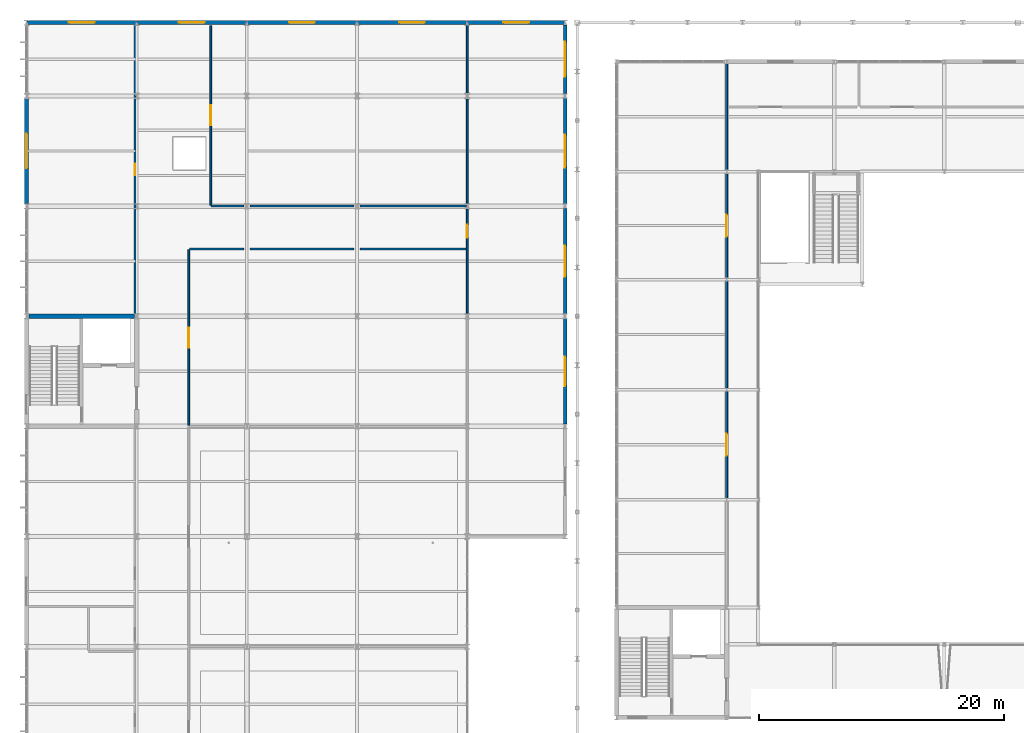
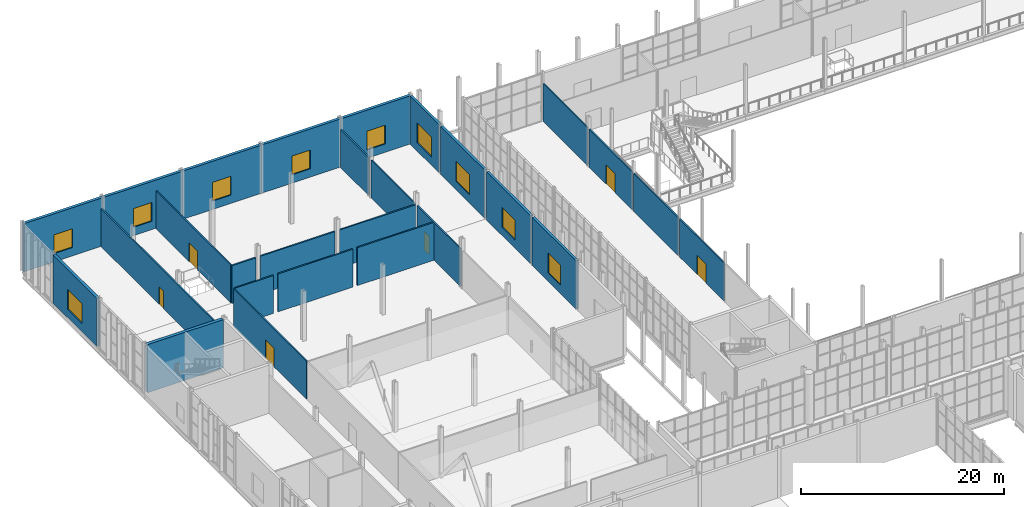
# One storey, part 124 of 159: 27 walls, 10 windows, 6 doors, 16 openings.
"""IFC4 building model written with IfcOpenShell, lengths in metres."""

from ifc_helpers import new_model, si_unit, direction, frame, frame_2d, origin, place, context, subcontext, project, spatial, rectangle, extrude, material, layer, layer_set, type_object, element, fill, save


model = new_model("IFC4")

# Units and contexts
model_context = context("Model", 3, precision=1e-05, world=origin(), true_north=direction((0.0, 1.0)))
body_context = subcontext(model_context, "Body", "Model", "MODEL_VIEW")
ifc_project = project(units=[si_unit("LENGTHUNIT", "METRE"), si_unit("AREAUNIT", "SQUARE_METRE"), si_unit("VOLUMEUNIT", "CUBIC_METRE"), si_unit("PLANEANGLEUNIT", "RADIAN"), si_unit("MASSUNIT", "GRAM", prefix="KILO")], contexts=[model_context])

# Site, building, storey
site_placement = place(None, origin())
site = spatial("IfcSite", under=ifc_project, at=site_placement, CompositionType="ELEMENT")
building_placement = place(site_placement, origin())
building = spatial("IfcBuilding", under=site, at=building_placement, Name="Cazmaro Siding Exhibition Halls", CompositionType="ELEMENT")
storey_placement = place(building_placement, frame((0.0, 0.0, 6.0)))
storey = spatial("IfcBuildingStorey", under=building, at=storey_placement, Name="L01", CompositionType="ELEMENT", Elevation=6.0)

# Wall, opening, window
ifc_material_1 = material(Name="Concrete f'c 45 MPa", Category="concrete")
ifc_layer_1 = layer(ifc_material_1, 0.320068359375)
ifc_layer_set_1 = layer_set([ifc_layer_1], Name="Concrete f'c 45 MPa")
wall_type_1 = type_object("IfcWallType", Name="EW-01", PredefinedType="STANDARD", material=ifc_layer_set_1)
wall_1_placement = place(storey_placement, frame((0.0, 109.201904296875, 0.0), z_axis=(0.0, 0.0, 1.0), x_axis=(0.0, 1.0, 0.0)))
wall_1 = element("IfcWall", 1, at=wall_1_placement, inside=storey, type_object=wall_type_1, Name="West Wing Street Pier Wall L01 EW-01 WL-E0267", PredefinedType="STANDARD", context=body_context, shape_type="SweptSolid", body=[
    extrude(rectangle(XDim=8.59619140625, YDim=0.320068359375, at=frame_2d((4.298095703125, 0.0))), origin(), (0.0, 0.0, 1.0), 5.780029296875),
])
opening_1_placement = place(wall_1_placement, frame((2.873046875, 0.0, 1.0)))
opening_1 = element("IfcOpeningElement", 2, at=opening_1_placement, cuts=wall_1, Name="Opening W-079", PredefinedType="OPENING", context=body_context, shape_type="SweptSolid", body=[
    extrude(rectangle(XDim=2.85009765625, YDim=2.39990234375, at=frame_2d((1.425048828125, 1.199951171875))), frame((0.0, 0.169921875, 0.0), z_axis=(0.0, -1.0, 0.0), x_axis=(1.0, 0.0, 0.0)), (0.0, 0.0, 1.0), 0.340087890625),
])
ifc_material_2 = material(Name="Thermally Broken Aluminum Low-E Window Unit", Category="aluminium")
window_type_1 = type_object("IfcWindowType", Name="WT-10", PartitioningType="SINGLE_PANEL", PredefinedType="WINDOW", material=ifc_material_2)
window_1_placement = place(opening_1_placement, origin())
window_1 = element("IfcWindow", 3, at=window_1_placement, inside=storey, type_object=window_type_1, Name="Window W-079 (WT-10)", OverallHeight=2.39990234375, OverallWidth=2.85009765625, PartitioningType="SINGLE_PANEL", PredefinedType="WINDOW", context=body_context, shape_type="SweptSolid", body=[
    extrude(rectangle(XDim=2.85009765625, YDim=2.39990234375, at=frame_2d((1.425048828125, 1.199951171875))), frame((0.0, 0.030029296875, 0.0), z_axis=(0.0, -1.0, 0.0), x_axis=(1.0, 0.0, 0.0)), (0.0, 0.0, 1.0), 0.06005859375),
])
fill(opening_1, window_1)

wall_2_placement = place(storey_placement, frame((0.02197265625, 124.0, 0.0), z_axis=(0.0, 0.0, 1.0), x_axis=(1.0, 0.0, 0.0)))
wall_2 = element("IfcWall", 4, at=wall_2_placement, inside=storey, type_object=wall_type_1, Name="West Wing North Facade Wall L01 EW-01 WL-E0275", PredefinedType="STANDARD", context=body_context, shape_type="SweptSolid", body=[
    extrude(rectangle(XDim=8.9560546875, YDim=0.320068359375, at=frame_2d((4.47802734375, 0.0))), origin(), (0.0, 0.0, 1.0), 5.780029296875),
])
opening_2_placement = place(wall_2_placement, frame((3.427978515625, 0.0, 1.0)))
opening_2 = element("IfcOpeningElement", 5, at=opening_2_placement, cuts=wall_2, Name="Opening W-082", PredefinedType="OPENING", context=body_context, shape_type="SweptSolid", body=[
    extrude(rectangle(XDim=2.10009765625, YDim=2.25, at=frame_2d((1.050048828125, 1.125))), frame((0.0, 0.169921875, 0.0), z_axis=(0.0, -1.0, 0.0), x_axis=(1.0, 0.0, 0.0)), (0.0, 0.0, 1.0), 0.340087890625),
])
ifc_material_3 = material(Name="Thermally Broken Aluminum Low-E Window Unit", Category="aluminium")
window_type_2 = type_object("IfcWindowType", Name="WT-05", PartitioningType="SINGLE_PANEL", PredefinedType="WINDOW", material=ifc_material_3)
window_2_placement = place(opening_2_placement, origin())
window_2 = element("IfcWindow", 6, at=window_2_placement, inside=storey, type_object=window_type_2, Name="Window W-082 (WT-05)", OverallHeight=2.25, OverallWidth=2.10009765625, PartitioningType="SINGLE_PANEL", PredefinedType="WINDOW", context=body_context, shape_type="SweptSolid", body=[
    extrude(rectangle(XDim=2.10009765625, YDim=2.25, at=frame_2d((1.050048828125, 1.125))), frame((0.0, 0.030029296875, 0.0), z_axis=(0.0, -1.0, 0.0), x_axis=(1.0, 0.0, 0.0)), (0.0, 0.0, 1.0), 0.06005859375),
])
fill(opening_2, window_2)

wall_3_placement = place(storey_placement, frame((9.02197265625, 124.0, 0.0), z_axis=(0.0, 0.0, 1.0), x_axis=(1.0, 0.0, 0.0)))
wall_3 = element("IfcWall", 7, at=wall_3_placement, inside=storey, type_object=wall_type_1, Name="West Wing North Facade Wall L01 EW-01 WL-E0276", PredefinedType="STANDARD", context=body_context, shape_type="SweptSolid", body=[
    extrude(rectangle(XDim=8.9560546875, YDim=0.320068359375, at=frame_2d((4.47802734375, 0.0))), origin(), (0.0, 0.0, 1.0), 5.780029296875),
])
opening_3_placement = place(wall_3_placement, frame((3.427978515625, 0.0, 1.0)))
opening_3 = element("IfcOpeningElement", 8, at=opening_3_placement, cuts=wall_3, Name="Opening W-083", PredefinedType="OPENING", context=body_context, shape_type="SweptSolid", body=[
    extrude(rectangle(XDim=2.10009765625, YDim=2.25, at=frame_2d((1.050048828125, 1.125))), frame((0.0, 0.169921875, 0.0), z_axis=(0.0, -1.0, 0.0), x_axis=(1.0, 0.0, 0.0)), (0.0, 0.0, 1.0), 0.340087890625),
])
window_3_placement = place(opening_3_placement, origin())
window_3 = element("IfcWindow", 9, at=window_3_placement, inside=storey, type_object=window_type_2, Name="Window W-083 (WT-05)", OverallHeight=2.25, OverallWidth=2.10009765625, PartitioningType="SINGLE_PANEL", PredefinedType="WINDOW", context=body_context, shape_type="SweptSolid", body=[
    extrude(rectangle(XDim=2.10009765625, YDim=2.25, at=frame_2d((1.050048828125, 1.125))), frame((0.0, 0.030029296875, 0.0), z_axis=(0.0, -1.0, 0.0), x_axis=(1.0, 0.0, 0.0)), (0.0, 0.0, 1.0), 0.06005859375),
])
fill(opening_3, window_3)

wall_4_placement = place(storey_placement, frame((18.02197265625, 124.0, 0.0), z_axis=(0.0, 0.0, 1.0), x_axis=(1.0, 0.0, 0.0)))
wall_4 = element("IfcWall", 10, at=wall_4_placement, inside=storey, type_object=wall_type_1, Name="West Wing North Facade Wall L01 EW-01 WL-E0277", PredefinedType="STANDARD", context=body_context, shape_type="SweptSolid", body=[
    extrude(rectangle(XDim=8.9560546875, YDim=0.320068359375, at=frame_2d((4.47802734375, 0.0))), origin(), (0.0, 0.0, 1.0), 5.780029296875),
])
opening_4_placement = place(wall_4_placement, frame((3.427978515625, 0.0, 1.0)))
opening_4 = element("IfcOpeningElement", 11, at=opening_4_placement, cuts=wall_4, Name="Opening W-084", PredefinedType="OPENING", context=body_context, shape_type="SweptSolid", body=[
    extrude(rectangle(XDim=2.10009765625, YDim=2.25, at=frame_2d((1.050048828125, 1.125))), frame((0.0, 0.169921875, 0.0), z_axis=(0.0, -1.0, 0.0), x_axis=(1.0, 0.0, 0.0)), (0.0, 0.0, 1.0), 0.340087890625),
])
window_4_placement = place(opening_4_placement, origin())
window_4 = element("IfcWindow", 12, at=window_4_placement, inside=storey, type_object=window_type_2, Name="Window W-084 (WT-05)", OverallHeight=2.25, OverallWidth=2.10009765625, PartitioningType="SINGLE_PANEL", PredefinedType="WINDOW", context=body_context, shape_type="SweptSolid", body=[
    extrude(rectangle(XDim=2.10009765625, YDim=2.25, at=frame_2d((1.050048828125, 1.125))), frame((0.0, 0.030029296875, 0.0), z_axis=(0.0, -1.0, 0.0), x_axis=(1.0, 0.0, 0.0)), (0.0, 0.0, 1.0), 0.06005859375),
])
fill(opening_4, window_4)

wall_5_placement = place(storey_placement, frame((27.02197265625, 124.0, 0.0), z_axis=(0.0, 0.0, 1.0), x_axis=(1.0, 0.0, 0.0)))
wall_5 = element("IfcWall", 13, at=wall_5_placement, inside=storey, type_object=wall_type_1, Name="West Wing North Facade Wall L01 EW-01 WL-E0278", PredefinedType="STANDARD", context=body_context, shape_type="SweptSolid", body=[
    extrude(rectangle(XDim=8.9560546875, YDim=0.320068359375, at=frame_2d((4.47802734375, 0.0))), origin(), (0.0, 0.0, 1.0), 5.780029296875),
])
opening_5_placement = place(wall_5_placement, frame((3.427978515625, 0.0, 1.0)))
opening_5 = element("IfcOpeningElement", 14, at=opening_5_placement, cuts=wall_5, Name="Opening W-085", PredefinedType="OPENING", context=body_context, shape_type="SweptSolid", body=[
    extrude(rectangle(XDim=2.10009765625, YDim=2.25, at=frame_2d((1.050048828125, 1.125))), frame((0.0, 0.169921875, 0.0), z_axis=(0.0, -1.0, 0.0), x_axis=(1.0, 0.0, 0.0)), (0.0, 0.0, 1.0), 0.340087890625),
])
window_5_placement = place(opening_5_placement, origin())
window_5 = element("IfcWindow", 15, at=window_5_placement, inside=storey, type_object=window_type_2, Name="Window W-085 (WT-05)", OverallHeight=2.25, OverallWidth=2.10009765625, PartitioningType="SINGLE_PANEL", PredefinedType="WINDOW", context=body_context, shape_type="SweptSolid", body=[
    extrude(rectangle(XDim=2.10009765625, YDim=2.25, at=frame_2d((1.050048828125, 1.125))), frame((0.0, 0.030029296875, 0.0), z_axis=(0.0, -1.0, 0.0), x_axis=(1.0, 0.0, 0.0)), (0.0, 0.0, 1.0), 0.06005859375),
])
fill(opening_5, window_5)

wall_6_placement = place(storey_placement, frame((36.02197265625, 124.0, 0.0), z_axis=(0.0, 0.0, 1.0), x_axis=(1.0, 0.0, 0.0)))
wall_6 = element("IfcWall", 16, at=wall_6_placement, inside=storey, type_object=wall_type_1, Name="West Wing North Facade Wall L01 EW-01 WL-E0279", PredefinedType="STANDARD", context=body_context, shape_type="SweptSolid", body=[
    extrude(rectangle(XDim=7.963134765625, YDim=0.320068359375, at=frame_2d((3.9814453125, 0.0))), origin(), (0.0, 0.0, 1.0), 5.780029296875),
])
opening_6_placement = place(wall_6_placement, frame((2.930908203125, 0.0, 1.0)))
opening_6 = element("IfcOpeningElement", 17, at=opening_6_placement, cuts=wall_6, Name="Opening W-086", PredefinedType="OPENING", context=body_context, shape_type="SweptSolid", body=[
    extrude(rectangle(XDim=2.10009765625, YDim=2.25, at=frame_2d((1.050048828125, 1.125))), frame((0.0, 0.169921875, 0.0), z_axis=(0.0, -1.0, 0.0), x_axis=(1.0, 0.0, 0.0)), (0.0, 0.0, 1.0), 0.340087890625),
])
window_6_placement = place(opening_6_placement, origin())
window_6 = element("IfcWindow", 18, at=window_6_placement, inside=storey, type_object=window_type_2, Name="Window W-086 (WT-05)", OverallHeight=2.25, OverallWidth=2.10009765625, PartitioningType="SINGLE_PANEL", PredefinedType="WINDOW", context=body_context, shape_type="SweptSolid", body=[
    extrude(rectangle(XDim=2.10009765625, YDim=2.25, at=frame_2d((1.050048828125, 1.125))), frame((0.0, 0.030029296875, 0.0), z_axis=(0.0, -1.0, 0.0), x_axis=(1.0, 0.0, 0.0)), (0.0, 0.0, 1.0), 0.06005859375),
])
fill(opening_6, window_6)

ifc_material_4 = material(Name="Precast concrete f'c 40 MPa", Category="concrete")
ifc_layer_2 = layer(ifc_material_4, 0.280029296875)
ifc_layer_set_2 = layer_set([ifc_layer_2], Name="Precast concrete f'c 40 MPa")
wall_type_2 = type_object("IfcWallType", Name="EW-02", PredefinedType="STANDARD", material=ifc_layer_set_2)
wall_7_placement = place(storey_placement, frame((44.0, 99.818115234375, 0.0), z_axis=(0.0, 0.0, 1.0), x_axis=(0.0, -1.0, 0.0)))
wall_7 = element("IfcWall", 19, at=wall_7_placement, inside=storey, type_object=wall_type_2, Name="NW Wing East Wall L01 EW-02 WL-E0265", PredefinedType="STANDARD", context=body_context, shape_type="SweptSolid", body=[
    extrude(rectangle(XDim=8.63623046875, YDim=0.280029296875, at=frame_2d((4.318115234375, 0.0))), origin(), (0.0, 0.0, 1.0), 5.780029296875),
])
opening_7_placement = place(wall_7_placement, frame((3.117919921875, 0.0, 1.0)))
opening_7 = element("IfcOpeningElement", 20, at=opening_7_placement, cuts=wall_7, Name="Opening W-077", PredefinedType="OPENING", context=body_context, shape_type="SweptSolid", body=[
    extrude(rectangle(XDim=2.39990234375, YDim=2.39990234375, at=frame_2d((1.199951171875, 1.199951171875))), frame((0.0, 0.14990234375, 0.0), z_axis=(0.0, -1.0, 0.0), x_axis=(1.0, 0.0, 0.0)), (0.0, 0.0, 1.0), 0.300048828125),
])
ifc_material_5 = material(Name="Thermally Broken Aluminum Low-E Window Unit", Category="aluminium")
window_type_3 = type_object("IfcWindowType", Name="WT-07", PartitioningType="SINGLE_PANEL", PredefinedType="WINDOW", material=ifc_material_5)
window_7_placement = place(opening_7_placement, origin())
window_7 = element("IfcWindow", 21, at=window_7_placement, inside=storey, type_object=window_type_3, Name="Window W-077 (WT-07)", OverallHeight=2.39990234375, OverallWidth=2.39990234375, PartitioningType="SINGLE_PANEL", PredefinedType="WINDOW", context=body_context, shape_type="SweptSolid", body=[
    extrude(rectangle(XDim=2.39990234375, YDim=2.39990234375, at=frame_2d((1.199951171875, 1.199951171875))), frame((0.0, 0.030029296875, 0.0), z_axis=(0.0, -1.0, 0.0), x_axis=(1.0, 0.0, 0.0)), (0.0, 0.0, 1.0), 0.06005859375),
])
fill(opening_7, window_7)

wall_8_placement = place(storey_placement, frame((44.0, 108.818115234375, 0.0), z_axis=(0.0, 0.0, 1.0), x_axis=(0.0, -1.0, 0.0)))
wall_8 = element("IfcWall", 22, at=wall_8_placement, inside=storey, type_object=wall_type_2, Name="NW Wing East Wall L01 EW-02 WL-E0266", PredefinedType="STANDARD", context=body_context, shape_type="SweptSolid", body=[
    extrude(rectangle(XDim=8.63623046875, YDim=0.280029296875, at=frame_2d((4.318115234375, 0.0))), origin(), (0.0, 0.0, 1.0), 5.780029296875),
])
opening_8_placement = place(wall_8_placement, frame((3.04296875, 0.0, 1.0)))
opening_8 = element("IfcOpeningElement", 23, at=opening_8_placement, cuts=wall_8, Name="Opening W-078", PredefinedType="OPENING", context=body_context, shape_type="SweptSolid", body=[
    extrude(rectangle(XDim=2.550048828125, YDim=2.39990234375, at=frame_2d((1.27490234375, 1.199951171875))), frame((0.0, 0.14990234375, 0.0), z_axis=(0.0, -1.0, 0.0), x_axis=(1.0, 0.0, 0.0)), (0.0, 0.0, 1.0), 0.300048828125),
])
ifc_material_6 = material(Name="Thermally Broken Aluminum Low-E Window Unit", Category="aluminium")
window_type_4 = type_object("IfcWindowType", Name="WT-08", PartitioningType="SINGLE_PANEL", PredefinedType="WINDOW", material=ifc_material_6)
window_8_placement = place(opening_8_placement, origin())
window_8 = element("IfcWindow", 24, at=window_8_placement, inside=storey, type_object=window_type_4, Name="Window W-078 (WT-08)", OverallHeight=2.39990234375, OverallWidth=2.550048828125, PartitioningType="SINGLE_PANEL", PredefinedType="WINDOW", context=body_context, shape_type="SweptSolid", body=[
    extrude(rectangle(XDim=2.550048828125, YDim=2.39990234375, at=frame_2d((1.27490234375, 1.199951171875))), frame((0.0, 0.030029296875, 0.0), z_axis=(0.0, -1.0, 0.0), x_axis=(1.0, 0.0, 0.0)), (0.0, 0.0, 1.0), 0.06005859375),
])
fill(opening_8, window_8)

wall_9_placement = place(storey_placement, frame((44.0, 117.818115234375, 0.0), z_axis=(0.0, 0.0, 1.0), x_axis=(0.0, -1.0, 0.0)))
wall_9 = element("IfcWall", 25, at=wall_9_placement, inside=storey, type_object=wall_type_2, Name="NW Wing East Wall L01 EW-02 WL-E0268", PredefinedType="STANDARD", context=body_context, shape_type="SweptSolid", body=[
    extrude(rectangle(XDim=8.63623046875, YDim=0.280029296875, at=frame_2d((4.318115234375, 0.0))), origin(), (0.0, 0.0, 1.0), 5.780029296875),
])
opening_9_placement = place(wall_9_placement, frame((2.968017578125, 0.0, 1.0)))
opening_9 = element("IfcOpeningElement", 26, at=opening_9_placement, cuts=wall_9, Name="Opening W-080", PredefinedType="OPENING", context=body_context, shape_type="SweptSolid", body=[
    extrude(rectangle(XDim=2.699951171875, YDim=2.39990234375, at=frame_2d((1.35009765625, 1.199951171875))), frame((0.0, 0.14990234375, 0.0), z_axis=(0.0, -1.0, 0.0), x_axis=(1.0, 0.0, 0.0)), (0.0, 0.0, 1.0), 0.300048828125),
])
ifc_material_7 = material(Name="Thermally Broken Aluminum Low-E Window Unit", Category="aluminium")
window_type_5 = type_object("IfcWindowType", Name="WT-09", PartitioningType="SINGLE_PANEL", PredefinedType="WINDOW", material=ifc_material_7)
window_9_placement = place(opening_9_placement, origin())
window_9 = element("IfcWindow", 27, at=window_9_placement, inside=storey, type_object=window_type_5, Name="Window W-080 (WT-09)", OverallHeight=2.39990234375, OverallWidth=2.699951171875, PartitioningType="SINGLE_PANEL", PredefinedType="WINDOW", context=body_context, shape_type="SweptSolid", body=[
    extrude(rectangle(XDim=2.699951171875, YDim=2.39990234375, at=frame_2d((1.35009765625, 1.199951171875))), frame((0.0, 0.030029296875, 0.0), z_axis=(0.0, -1.0, 0.0), x_axis=(1.0, 0.0, 0.0)), (0.0, 0.0, 1.0), 0.06005859375),
])
fill(opening_9, window_9)

wall_10_placement = place(storey_placement, frame((44.0, 123.818115234375, 0.0), z_axis=(0.0, 0.0, 1.0), x_axis=(0.0, -1.0, 0.0)))
wall_10 = element("IfcWall", 28, at=wall_10_placement, inside=storey, type_object=wall_type_2, Name="NW Wing East Wall L01 EW-02 WL-E0269", PredefinedType="STANDARD", context=body_context, shape_type="SweptSolid", body=[
    extrude(rectangle(XDim=5.63623046875, YDim=0.280029296875, at=frame_2d((2.818115234375, 0.0))), origin(), (0.0, 0.0, 1.0), 5.780029296875),
])
opening_10_placement = place(wall_10_placement, frame((1.39306640625, 0.0, 1.0)))
opening_10 = element("IfcOpeningElement", 29, at=opening_10_placement, cuts=wall_10, Name="Opening W-081", PredefinedType="OPENING", context=body_context, shape_type="SweptSolid", body=[
    extrude(rectangle(XDim=2.85009765625, YDim=2.39990234375, at=frame_2d((1.425048828125, 1.199951171875))), frame((0.0, 0.14990234375, 0.0), z_axis=(0.0, -1.0, 0.0), x_axis=(1.0, 0.0, 0.0)), (0.0, 0.0, 1.0), 0.300048828125),
])
window_10_placement = place(opening_10_placement, origin())
window_10 = element("IfcWindow", 30, at=window_10_placement, inside=storey, type_object=window_type_1, Name="Window W-081 (WT-10)", OverallHeight=2.39990234375, OverallWidth=2.85009765625, PartitioningType="SINGLE_PANEL", PredefinedType="WINDOW", context=body_context, shape_type="SweptSolid", body=[
    extrude(rectangle(XDim=2.85009765625, YDim=2.39990234375, at=frame_2d((1.425048828125, 1.199951171875))), frame((0.0, 0.030029296875, 0.0), z_axis=(0.0, -1.0, 0.0), x_axis=(1.0, 0.0, 0.0)), (0.0, 0.0, 1.0), 0.06005859375),
])
fill(opening_10, window_10)

# Wall, opening, door
ifc_material_8 = material(Name="Fire-Rated Gypsum Board on Cold-Formed Steel Studs", Category="steel")
ifc_layer_3 = layer(ifc_material_8, 0.14501953125)
ifc_layer_set_3 = layer_set([ifc_layer_3], Name="Fire-Rated Gypsum Board on Cold-Formed Steel Studs")
wall_type_3 = type_object("IfcWallType", Name="PW-01", PredefinedType="PARTITIONING", material=ifc_layer_set_3)
wall_11_placement = place(storey_placement, frame((13.25, 91.080078125, 0.0), z_axis=(0.0, 0.0, 1.0), x_axis=(0.0, 1.0, 0.0)))
wall_11 = element("IfcWall", 31, at=wall_11_placement, inside=storey, type_object=wall_type_3, Name="West Wing East Corridor Wall L01 PW-01 WL-I0216", PredefinedType="PARTITIONING", context=body_context, shape_type="SweptSolid", body=[
    extrude(rectangle(XDim=14.33984375, YDim=0.14501953125, at=frame_2d((7.169921875, 0.0))), origin(), (0.0, 0.0, 1.0), 4.550048828125),
])
opening_11_placement = place(wall_11_placement, frame((6.344970703125, 0.0, 0.0)))
opening_11 = element("IfcOpeningElement", 32, at=opening_11_placement, cuts=wall_11, Name="Opening D-I106", PredefinedType="OPENING", context=body_context, shape_type="SweptSolid", body=[
    extrude(rectangle(XDim=1.64990234375, YDim=2.25, at=frame_2d((0.824951171875, 1.125))), frame((0.0, 0.08251953125, 0.0), z_axis=(0.0, -1.0, 0.0), x_axis=(1.0, 0.0, 0.0)), (0.0, 0.0, 1.0), 0.1650390625),
])
ifc_material_9 = material(Name="Fire-Rated Painted Hollow Metal Door", Category="steel")
door_type_1 = type_object("IfcDoorType", Name="ID-05", OperationType="DOUBLE_DOOR_SINGLE_SWING", PredefinedType="DOOR", material=ifc_material_9)
door_1_placement = place(opening_11_placement, origin())
door_1 = element("IfcDoor", 33, at=door_1_placement, inside=storey, type_object=door_type_1, Name="Interior door D-I106 (ID-05)", OperationType="DOUBLE_DOOR_SINGLE_SWING", OverallHeight=2.25, OverallWidth=1.64990234375, PredefinedType="DOOR", context=body_context, shape_type="SweptSolid", body=[
    extrude(rectangle(XDim=1.64990234375, YDim=2.25, at=frame_2d((0.824951171875, 1.125))), frame((0.0, 0.02490234375, 0.0), z_axis=(0.0, -1.0, 0.0), x_axis=(1.0, 0.0, 0.0)), (0.0, 0.0, 1.0), 0.050048828125),
])
fill(opening_11, door_1)

wall_12_placement = place(storey_placement, frame((15.050048828125, 109.080078125, 0.0), z_axis=(0.0, 0.0, 1.0), x_axis=(0.0, 1.0, 0.0)))
wall_12 = element("IfcWall", 34, at=wall_12_placement, inside=storey, type_object=wall_type_3, Name="West Wing East Corridor Wall L01 PW-01 WL-I0217", PredefinedType="PARTITIONING", context=body_context, shape_type="SweptSolid", body=[
    extrude(rectangle(XDim=14.669921875, YDim=0.14501953125, at=frame_2d((7.3349609375, 0.0))), origin(), (0.0, 0.0, 1.0), 4.550048828125),
])
opening_12_placement = place(wall_12_placement, frame((6.510009765625, 0.0, 0.0)))
opening_12 = element("IfcOpeningElement", 35, at=opening_12_placement, cuts=wall_12, Name="Opening D-I107", PredefinedType="OPENING", context=body_context, shape_type="SweptSolid", body=[
    extrude(rectangle(XDim=1.64990234375, YDim=2.25, at=frame_2d((0.824951171875, 1.125))), frame((0.0, 0.08251953125, 0.0), z_axis=(0.0, -1.0, 0.0), x_axis=(1.0, 0.0, 0.0)), (0.0, 0.0, 1.0), 0.1650390625),
])
door_2_placement = place(opening_12_placement, origin())
door_2 = element("IfcDoor", 36, at=door_2_placement, inside=storey, type_object=door_type_1, Name="Interior door D-I107 (ID-05)", OperationType="DOUBLE_DOOR_SINGLE_SWING", OverallHeight=2.25, OverallWidth=1.64990234375, PredefinedType="DOOR", context=body_context, shape_type="SweptSolid", body=[
    extrude(rectangle(XDim=1.64990234375, YDim=2.25, at=frame_2d((0.824951171875, 1.125))), frame((0.0, 0.02490234375, 0.0), z_axis=(0.0, -1.0, 0.0), x_axis=(1.0, 0.0, 0.0)), (0.0, 0.0, 1.0), 0.050048828125),
])
fill(opening_12, door_2)

wall_13_placement = place(storey_placement, frame((36.0, 100.25, 0.0), z_axis=(0.0, 0.0, 1.0), x_axis=(0.0, 1.0, 0.0)))
wall_13 = element("IfcWall", 37, at=wall_13_placement, inside=storey, type_object=wall_type_3, Name="NW Wing Suite Wall L01 PW-01 WL-I0237", PredefinedType="PARTITIONING", context=body_context, shape_type="SweptSolid", body=[
    extrude(rectangle(XDim=8.5, YDim=0.14501953125, at=frame_2d((4.25, 0.0))), origin(), (0.0, 0.0, 1.0), 4.550048828125),
])
opening_13_placement = place(wall_13_placement, frame((6.14990234375, 0.0, 0.0)))
opening_13 = element("IfcOpeningElement", 38, at=opening_13_placement, cuts=wall_13, Name="Opening D-I112", PredefinedType="OPENING", context=body_context, shape_type="SweptSolid", body=[
    extrude(rectangle(XDim=1.080078125, YDim=2.260009765625, at=frame_2d((0.5400390625, 1.1298828125))), frame((0.0, 0.08251953125, 0.0), z_axis=(0.0, -1.0, 0.0), x_axis=(1.0, 0.0, 0.0)), (0.0, 0.0, 1.0), 0.1650390625),
])
ifc_material_10 = material(Name="Fire-Rated Painted Hollow Metal Door", Category="steel")
door_type_2 = type_object("IfcDoorType", Name="ID-13", OperationType="NOTDEFINED", PredefinedType="DOOR", material=ifc_material_10)
door_3_placement = place(opening_13_placement, origin())
door_3 = element("IfcDoor", 39, at=door_3_placement, inside=storey, type_object=door_type_2, Name="Interior door D-I112 (ID-13)", OperationType="SINGLE_SWING_RIGHT", OverallHeight=2.260009765625, OverallWidth=1.080078125, PredefinedType="DOOR", context=body_context, shape_type="SweptSolid", body=[
    extrude(rectangle(XDim=1.080078125, YDim=2.260009765625, at=frame_2d((0.5400390625, 1.1298828125))), frame((0.0, 0.02490234375, 0.0), z_axis=(0.0, -1.0, 0.0), x_axis=(1.0, 0.0, 0.0)), (0.0, 0.0, 1.0), 0.050048828125),
])
fill(opening_13, door_3)

# Walls
wall_14_placement = place(storey_placement, frame((36.0, 109.25, 0.0), z_axis=(0.0, 0.0, 1.0), x_axis=(0.0, 1.0, 0.0)))
element("IfcWall", 40, at=wall_14_placement, inside=storey, type_object=wall_type_3, Name="NW Wing Suite Wall L01 PW-01 WL-I0238", PredefinedType="PARTITIONING", context=body_context, shape_type="SweptSolid", body=[
    extrude(rectangle(XDim=8.5, YDim=0.14501953125, at=frame_2d((4.25, 0.0))), origin(), (0.0, 0.0, 1.0), 4.550048828125),
])
wall_15_placement = place(storey_placement, frame((36.0, 118.25, 0.0), z_axis=(0.0, 0.0, 1.0), x_axis=(0.0, 1.0, 0.0)))
element("IfcWall", 41, at=wall_15_placement, inside=storey, type_object=wall_type_3, Name="NW Wing Suite Wall L01 PW-01 WL-I0239", PredefinedType="PARTITIONING", context=body_context, shape_type="SweptSolid", body=[
    extrude(rectangle(XDim=5.550048828125, YDim=0.14501953125, at=frame_2d((2.77490234375, 0.0))), origin(), (0.0, 0.0, 1.0), 4.550048828125),
])

# Wall, opening, door
wall_16_placement = place(storey_placement, frame((57.199951171875, 85.126953125, 0.0), z_axis=(0.0, 0.0, 1.0), x_axis=(0.0, 1.0, 0.0)))
wall_16 = element("IfcWall", 42, at=wall_16_placement, inside=storey, type_object=wall_type_3, Name="Hall A West Mezzanine Lounge Wall L01 PW-01 WL-I0296", PredefinedType="PARTITIONING", context=body_context, shape_type="SweptSolid", body=[
    extrude(rectangle(XDim=8.74609375, YDim=0.14501953125, at=frame_2d((4.373046875, 0.0))), origin(), (0.0, 0.0, 1.0), 4.550048828125),
])
opening_14_placement = place(wall_16_placement, frame((3.472900390625, 0.0, 0.0)))
opening_14 = element("IfcOpeningElement", 43, at=opening_14_placement, cuts=wall_16, Name="Opening D-I141", PredefinedType="OPENING", context=body_context, shape_type="SweptSolid", body=[
    extrude(rectangle(XDim=1.800048828125, YDim=2.300048828125, at=frame_2d((0.89990234375, 1.14990234375))), frame((0.0, 0.08251953125, 0.0), z_axis=(0.0, -1.0, 0.0), x_axis=(1.0, 0.0, 0.0)), (0.0, 0.0, 1.0), 0.1650390625),
])
ifc_material_11 = material(Name="Fire-Rated Painted Hollow Metal Door", Category="steel")
door_type_3 = type_object("IfcDoorType", Name="ID-02", OperationType="DOUBLE_DOOR_SINGLE_SWING", PredefinedType="DOOR", material=ifc_material_11)
door_4_placement = place(opening_14_placement, origin())
door_4 = element("IfcDoor", 44, at=door_4_placement, inside=storey, type_object=door_type_3, Name="Interior door D-I141 (ID-02)", OperationType="DOUBLE_DOOR_SINGLE_SWING", OverallHeight=2.300048828125, OverallWidth=1.800048828125, PredefinedType="DOOR", context=body_context, shape_type="SweptSolid", body=[
    extrude(rectangle(XDim=1.800048828125, YDim=2.300048828125, at=frame_2d((0.89990234375, 1.14990234375))), frame((0.0, 0.02490234375, 0.0), z_axis=(0.0, -1.0, 0.0), x_axis=(1.0, 0.0, 0.0)), (0.0, 0.0, 1.0), 0.050048828125),
])
fill(opening_14, door_4)

# Wall
wall_17_placement = place(storey_placement, frame((57.199951171875, 94.126953125, 0.0), z_axis=(0.0, 0.0, 1.0), x_axis=(0.0, 1.0, 0.0)))
element("IfcWall", 45, at=wall_17_placement, inside=storey, type_object=wall_type_3, Name="Hall A West Mezzanine Lounge Wall L01 PW-01 WL-I0298", PredefinedType="PARTITIONING", context=body_context, shape_type="SweptSolid", body=[
    extrude(rectangle(XDim=8.74609375, YDim=0.14501953125, at=frame_2d((4.373046875, 0.0))), origin(), (0.0, 0.0, 1.0), 4.550048828125),
])

# Wall, opening, door
wall_18_placement = place(storey_placement, frame((57.199951171875, 103.126953125, 0.0), z_axis=(0.0, 0.0, 1.0), x_axis=(0.0, 1.0, 0.0)))
wall_18 = element("IfcWall", 46, at=wall_18_placement, inside=storey, type_object=wall_type_3, Name="Hall A West Mezzanine Lounge Wall L01 PW-01 WL-I0300", PredefinedType="PARTITIONING", context=body_context, shape_type="SweptSolid", body=[
    extrude(rectangle(XDim=8.525146484375, YDim=0.14501953125, at=frame_2d((4.2626953125, 0.0))), origin(), (0.0, 0.0, 1.0), 4.550048828125),
])
opening_15_placement = place(wall_18_placement, frame((3.363037109375, 0.0, 0.0)))
opening_15 = element("IfcOpeningElement", 47, at=opening_15_placement, cuts=wall_18, Name="Opening D-I143", PredefinedType="OPENING", context=body_context, shape_type="SweptSolid", body=[
    extrude(rectangle(XDim=1.800048828125, YDim=2.300048828125, at=frame_2d((0.89990234375, 1.14990234375))), frame((0.0, 0.08251953125, 0.0), z_axis=(0.0, -1.0, 0.0), x_axis=(1.0, 0.0, 0.0)), (0.0, 0.0, 1.0), 0.1650390625),
])
door_5_placement = place(opening_15_placement, origin())
door_5 = element("IfcDoor", 48, at=door_5_placement, inside=storey, type_object=door_type_3, Name="Interior door D-I143 (ID-02)", OperationType="DOUBLE_DOOR_SINGLE_SWING", OverallHeight=2.300048828125, OverallWidth=1.800048828125, PredefinedType="DOOR", context=body_context, shape_type="SweptSolid", body=[
    extrude(rectangle(XDim=1.800048828125, YDim=2.300048828125, at=frame_2d((0.89990234375, 1.14990234375))), frame((0.0, 0.02490234375, 0.0), z_axis=(0.0, -1.0, 0.0), x_axis=(1.0, 0.0, 0.0)), (0.0, 0.0, 1.0), 0.050048828125),
])
fill(opening_15, door_5)

# Walls
wall_19_placement = place(storey_placement, frame((57.199951171875, 111.947998046875, 0.0), z_axis=(0.0, 0.0, 1.0), x_axis=(0.0, 1.0, 0.0)))
element("IfcWall", 49, at=wall_19_placement, inside=storey, type_object=wall_type_3, Name="Hall A West Mezzanine Lounge Wall L01 PW-01 WL-I0302", PredefinedType="PARTITIONING", context=body_context, shape_type="SweptSolid", body=[
    extrude(rectangle(XDim=8.7041015625, YDim=0.14501953125, at=frame_2d((4.35205078125, 0.0))), origin(), (0.0, 0.0, 1.0), 4.550048828125),
])
ifc_material_12 = material(Name="Moisture-Resistant Gypsum Board on Acoustic Steel Studs", Category="steel")
ifc_layer_4 = layer(ifc_material_12, 0.1650390625)
ifc_layer_set_4 = layer_set([ifc_layer_4], Name="Moisture-Resistant Gypsum Board on Acoustic Steel Studs")
wall_type_4 = type_object("IfcWallType", Name="PW-02", PredefinedType="PARTITIONING", material=ifc_layer_set_4)
wall_20_placement = place(storey_placement, frame((13.320068359375, 105.5, 0.0), z_axis=(0.0, 0.0, 1.0), x_axis=(1.0, 0.0, 0.0)))
element("IfcWall", 50, at=wall_20_placement, inside=storey, type_object=wall_type_4, Name="West Wing East Room Divider L01 PW-02 WL-I0224", PredefinedType="PARTITIONING", context=body_context, shape_type="SweptSolid", body=[
    extrude(rectangle(XDim=4.429931640625, YDim=0.1650390625, at=frame_2d((2.21484375, 0.0))), origin(), (0.0, 0.0, 1.0), 4.550048828125),
])
wall_21_placement = place(storey_placement, frame((18.25, 105.5, 0.0), z_axis=(0.0, 0.0, 1.0), x_axis=(1.0, 0.0, 0.0)))
element("IfcWall", 51, at=wall_21_placement, inside=storey, type_object=wall_type_4, Name="West Wing East Room Divider L01 PW-02 WL-I0225", PredefinedType="PARTITIONING", context=body_context, shape_type="SweptSolid", body=[
    extrude(rectangle(XDim=8.5, YDim=0.1650390625, at=frame_2d((4.25, 0.0))), origin(), (0.0, 0.0, 1.0), 4.550048828125),
])
wall_22_placement = place(storey_placement, frame((27.25, 105.5, 0.0), z_axis=(0.0, 0.0, 1.0), x_axis=(1.0, 0.0, 0.0)))
element("IfcWall", 52, at=wall_22_placement, inside=storey, type_object=wall_type_4, Name="West Wing East Room Divider L01 PW-02 WL-I0226", PredefinedType="PARTITIONING", context=body_context, shape_type="SweptSolid", body=[
    extrude(rectangle(XDim=8.68994140625, YDim=0.1650390625, at=frame_2d((4.344970703125, 0.0))), origin(), (0.0, 0.0, 1.0), 4.550048828125),
])
wall_23_placement = place(storey_placement, frame((15.050048828125, 109.0, 0.0), z_axis=(0.0, 0.0, 1.0), x_axis=(1.0, 0.0, 0.0)))
element("IfcWall", 53, at=wall_23_placement, inside=storey, type_object=wall_type_4, Name="West Wing East Room Divider L01 PW-02 WL-I0227", PredefinedType="PARTITIONING", context=body_context, shape_type="SweptSolid", body=[
    extrude(rectangle(XDim=2.699951171875, YDim=0.1650390625, at=frame_2d((1.35009765625, 0.0))), origin(), (0.0, 0.0, 1.0), 4.550048828125),
])
wall_24_placement = place(storey_placement, frame((18.25, 109.0, 0.0), z_axis=(0.0, 0.0, 1.0), x_axis=(1.0, 0.0, 0.0)))
element("IfcWall", 54, at=wall_24_placement, inside=storey, type_object=wall_type_4, Name="West Wing East Room Divider L01 PW-02 WL-I0228", PredefinedType="PARTITIONING", context=body_context, shape_type="SweptSolid", body=[
    extrude(rectangle(XDim=8.5, YDim=0.1650390625, at=frame_2d((4.25, 0.0))), origin(), (0.0, 0.0, 1.0), 4.550048828125),
])
wall_25_placement = place(storey_placement, frame((27.25, 109.0, 0.0), z_axis=(0.0, 0.0, 1.0), x_axis=(1.0, 0.0, 0.0)))
element("IfcWall", 55, at=wall_25_placement, inside=storey, type_object=wall_type_4, Name="West Wing East Room Divider L01 PW-02 WL-I0229", PredefinedType="PARTITIONING", context=body_context, shape_type="SweptSolid", body=[
    extrude(rectangle(XDim=8.68994140625, YDim=0.1650390625, at=frame_2d((4.344970703125, 0.0))), origin(), (0.0, 0.0, 1.0), 4.550048828125),
])

# Wall, opening, door
wall_26_placement = place(storey_placement, frame((8.85009765625, 100.179931640625, 0.0), z_axis=(0.0, 0.0, 1.0), x_axis=(0.0, 1.0, 0.0)))
wall_26 = element("IfcWall", 56, at=wall_26_placement, inside=storey, type_object=wall_type_4, Name="West Wing West Service Wall L01 PW-02 WL-I0231", PredefinedType="PARTITIONING", context=body_context, shape_type="SweptSolid", body=[
    extrude(rectangle(XDim=23.650146484375, YDim=0.1650390625, at=frame_2d((11.8251953125, 0.0))), origin(), (0.0, 0.0, 1.0), 4.550048828125),
])
opening_16_placement = place(wall_26_placement, frame((11.324951171875, 0.0, 0.0)))
opening_16 = element("IfcOpeningElement", 57, at=opening_16_placement, cuts=wall_26, Name="Opening D-I111", PredefinedType="OPENING", context=body_context, shape_type="SweptSolid", body=[
    extrude(rectangle(XDim=0.949951171875, YDim=2.1201171875, at=frame_2d((0.47509765625, 1.06005859375))), frame((0.0, 0.092529296875, 0.0), z_axis=(0.0, -1.0, 0.0), x_axis=(1.0, 0.0, 0.0)), (0.0, 0.0, 1.0), 0.18505859375),
])
ifc_material_13 = material(Name="Fire-Rated Painted Hollow Metal Door", Category="steel")
door_type_4 = type_object("IfcDoorType", Name="ID-04", OperationType="NOTDEFINED", PredefinedType="DOOR", material=ifc_material_13)
door_6_placement = place(opening_16_placement, origin())
door_6 = element("IfcDoor", 58, at=door_6_placement, inside=storey, type_object=door_type_4, Name="Interior door D-I111 (ID-04)", OperationType="SINGLE_SWING_LEFT", OverallHeight=2.1201171875, OverallWidth=0.949951171875, PredefinedType="DOOR", context=body_context, shape_type="SweptSolid", body=[
    extrude(rectangle(XDim=0.949951171875, YDim=2.1201171875, at=frame_2d((0.47509765625, 1.06005859375))), frame((0.0, 0.02490234375, 0.0), z_axis=(0.0, -1.0, 0.0), x_axis=(1.0, 0.0, 0.0)), (0.0, 0.0, 1.0), 0.050048828125),
])
fill(opening_16, door_6)

# Wall
ifc_material_14 = material(Name="Concrete f'c 50 MPa", Category="concrete")
ifc_layer_5 = layer(ifc_material_14, 0.360107421875)
ifc_layer_set_5 = layer_set([ifc_layer_5], Name="Concrete f'c 50 MPa")
wall_type_5 = type_object("IfcWallType", Name="SW-01", PredefinedType="SHEAR", material=ifc_layer_set_5)
wall_27_placement = place(storey_placement, frame((0.197998046875, 100.0, 0.0), z_axis=(0.0, 0.0, 1.0), x_axis=(1.0, 0.0, 0.0)))
element("IfcWall", 59, at=wall_27_placement, inside=storey, type_object=wall_type_5, Name="Core C8 North Shear Wall SW-01 WL-I0106", PredefinedType="SHEAR", context=body_context, shape_type="SweptSolid", body=[
    extrude(rectangle(XDim=8.60400390625, YDim=0.360107421875, at=frame_2d((4.302001953125, 0.0))), origin(), (0.0, 0.0, 1.0), 5.780029296875),
])

save(model, "model.ifc")
